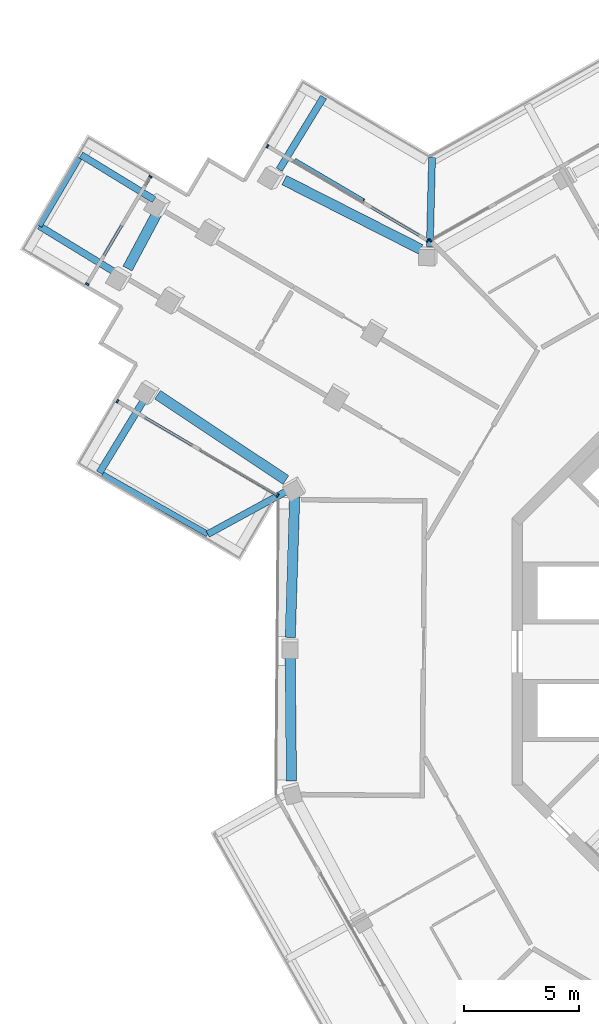
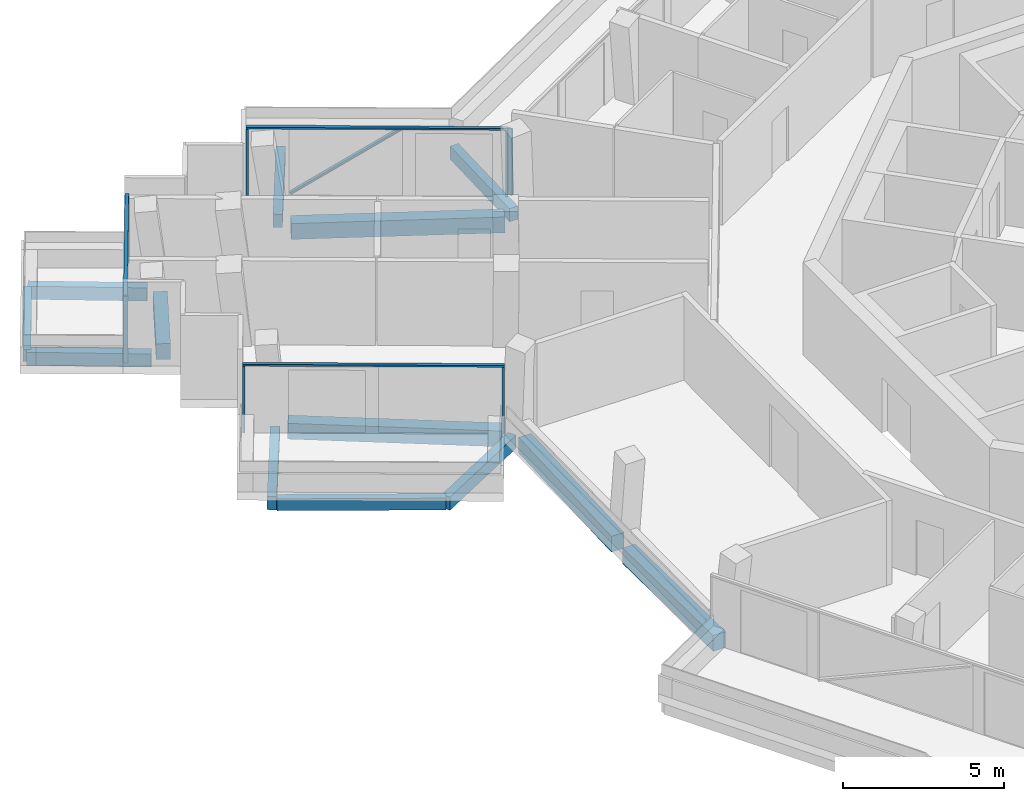
# One storey, part 6 of 24: 13 beams, 11 members, 4 elements without a shape of their own.
"""IFC4 building model written with IfcOpenShell, lengths in metres."""

from ifc_helpers import new_model, si_unit, direction, frame, origin, origin_2d, place, context, subcontext, project, spatial, rectangle, extrude, material, layer, layer_set, material_profile, profile_set, type_object, element, aggregate, save


model = new_model("IFC4")

# Units and contexts
model_context = context("Model", 3, precision=1e-05, world=origin(), true_north=direction((0.0, 1.0)))
body_context = subcontext(model_context, "Body", "Model", "MODEL_VIEW")
ifc_project = project(units=[si_unit("LENGTHUNIT", "METRE"), si_unit("AREAUNIT", "SQUARE_METRE"), si_unit("VOLUMEUNIT", "CUBIC_METRE"), si_unit("PLANEANGLEUNIT", "RADIAN"), si_unit("MASSUNIT", "GRAM", prefix="KILO")], contexts=[model_context])

# Site, building, storey
site_placement = place(None, origin())
site = spatial("IfcSite", under=ifc_project, at=site_placement, CompositionType="ELEMENT")
building_placement = place(site_placement, origin())
building = spatial("IfcBuilding", under=site, at=building_placement, Name="Verdalira Terraces Hotel", CompositionType="ELEMENT")
storey_placement = place(building_placement, frame((0.0, 0.0, 277.5)))
storey = spatial("IfcBuildingStorey", under=building, at=storey_placement, Name="L68", CompositionType="ELEMENT", Elevation=277.5)

# Beams
ifc_material_1 = material(Name="Concrete C40", Category="concrete")
ifc_material_profile_1 = material_profile(ifc_material_1, rectangle(XDim=0.300049, YDim=0.5, at=origin_2d()), Name="RC 300X500")
ifc_profile_set_1 = profile_set([ifc_material_profile_1], Name="Concrete C40")
beam_type_1 = type_object("IfcBeamType", Name="Balcony cantilever beam RC 300X500 C40", PredefinedType="BEAM", material=ifc_profile_set_1)
beam_1_placement = place(storey_placement, frame((-29.553711, 19.631104, -0.560059), z_axis=(-0.853189341, 0.52160133, 0.0), x_axis=(-0.52160133, -0.853189341, 0.0)))
element("IfcBeam", 1, at=beam_1_placement, inside=storey, type_object=beam_type_1, Name="Balcony cantilever beam R05-1", PredefinedType="BEAM", context=body_context, shape_type="SweptSolid", body=[
    extrude(rectangle(XDim=0.300049, YDim=0.5, at=origin_2d()), origin(), (0.0, 0.0, 1.0), 3.719727),
])
beam_2_placement = place(storey_placement, frame((-31.236572, 16.467041, -0.560059), z_axis=(-0.853164986, 0.521641167, 0.0), x_axis=(-0.521641167, -0.853164986, 0.0)))
element("IfcBeam", 2, at=beam_2_placement, inside=storey, type_object=beam_type_1, Name="Balcony cantilever beam R05-2", PredefinedType="BEAM", context=body_context, shape_type="SweptSolid", body=[
    extrude(rectangle(XDim=0.300049, YDim=0.5, at=origin_2d()), origin(), (0.0, 0.0, 1.0), 3.874268),
])
beam_3_placement = place(storey_placement, frame((-29.933594, 11.034424, -0.560059), z_axis=(-0.521571297, -0.853207701, 0.0), x_axis=(0.853207701, -0.521571297, 0.0)))
element("IfcBeam", 3, at=beam_3_placement, inside=storey, type_object=beam_type_1, Name="Balcony cantilever beam R10-1", PredefinedType="BEAM", context=body_context, shape_type="SweptSolid", body=[
    extrude(rectangle(XDim=0.300049, YDim=0.5, at=origin_2d()), origin(), (0.0, 0.0, 1.0), 3.82666),
])
beam_4_placement = place(storey_placement, frame((-23.756104, 6.991455, -0.560059), z_axis=(-0.878308619, -0.478094101, 0.0), x_axis=(0.478094101, -0.878308619, 0.0)))
element("IfcBeam", 4, at=beam_4_placement, inside=storey, type_object=beam_type_1, Name="Balcony cantilever beam R10-2", PredefinedType="BEAM", context=body_context, shape_type="SweptSolid", body=[
    extrude(rectangle(XDim=0.300049, YDim=0.5, at=origin_2d()), origin(), (0.0, 0.0, 1.0), 3.949951),
])
beam_5_placement = place(storey_placement, frame((-24.121094, 20.934082, -0.560059), z_axis=(0.521639774, 0.853165837, 0.0), x_axis=(-0.853165837, 0.521639774, 0.0)))
element("IfcBeam", 5, at=beam_5_placement, inside=storey, type_object=beam_type_1, Name="Balcony cantilever beam R41-1", PredefinedType="BEAM", context=body_context, shape_type="SweptSolid", body=[
    extrude(rectangle(XDim=0.300049, YDim=0.5, at=origin_2d()), origin(), (0.0, 0.0, 1.0), 3.69458),
])
beam_6_placement = place(storey_placement, frame((-17.580078, 17.5896, -0.560059), z_axis=(0.025110414, 0.999684684, 0.0), x_axis=(-0.999684684, 0.025110414, 0.0)))
element("IfcBeam", 6, at=beam_6_placement, inside=storey, type_object=beam_type_1, Name="Balcony cantilever beam R41-4", PredefinedType="BEAM", context=body_context, shape_type="SweptSolid", body=[
    extrude(rectangle(XDim=0.300049, YDim=0.5, at=origin_2d()), origin(), (0.0, 0.0, 1.0), 3.869629),
])
ifc_material_2 = material(Name="Concrete C40", Category="concrete")
ifc_material_profile_2 = material_profile(ifc_material_2, rectangle(XDim=0.25, YDim=0.449951, at=origin_2d()), Name="RC 250X450")
ifc_profile_set_2 = profile_set([ifc_material_profile_2], Name="Concrete C40")
beam_type_2 = type_object("IfcBeamType", Name="Balcony edge beam RC 250X450 C40", PredefinedType="BEAM", material=ifc_profile_set_2)
beam_7_placement = place(storey_placement, frame((-32.803467, 21.441895, -0.534912), z_axis=(-0.507228675, -0.861811506, 0.0), x_axis=(0.861811506, -0.507228675, 0.0)))
element("IfcBeam", 7, at=beam_7_placement, inside=storey, type_object=beam_type_2, Name="Balcony edge beam R05-1", PredefinedType="BEAM", context=body_context, shape_type="SweptSolid", body=[
    extrude(rectangle(XDim=0.25, YDim=0.449951, at=origin_2d()), origin(), (0.0, 0.0, 1.0), 3.42749),
])
beam_8_placement = place(storey_placement, frame((-31.798828, 7.695557, -0.534912), z_axis=(0.869949803, -0.493140285, 0.0), x_axis=(0.493140285, 0.869949803, 0.0)))
element("IfcBeam", 8, at=beam_8_placement, inside=storey, type_object=beam_type_2, Name="Balcony edge beam R10-1", PredefinedType="BEAM", context=body_context, shape_type="SweptSolid", body=[
    extrude(rectangle(XDim=0.25, YDim=0.449951, at=origin_2d()), origin(), (0.0, 0.0, 1.0), 5.25708),
])

# Curtain wall, member
ifc_material_3 = material(Name="Clear glass", Category="glass")
ifc_layer_1 = layer(ifc_material_3, 0.14990234375)
ifc_layer_set_1 = layer_set([ifc_layer_1], Name="CW1 curtain wall")
curtain_wall_type_1 = type_object("IfcCurtainWallType", Name="CW1 curtain wall", PredefinedType="NOTDEFINED", material=ifc_layer_set_1)
curtain_wall_1_placement = place(storey_placement, origin())
curtain_wall_1 = element("IfcCurtainWall", 9, at=curtain_wall_1_placement, inside=storey, type_object=curtain_wall_type_1, Name="CW1 curtain wall L68 edge 41", PredefinedType="NOTDEFINED")
ifc_material_4 = material(Name="Terracotta frame", Category="masonry")
ifc_material_profile_3 = material_profile(ifc_material_4, rectangle(XDim=0.060059, YDim=0.149902, at=origin_2d()), Name="MU 60x150")
ifc_profile_set_3 = profile_set([ifc_material_profile_3], Name="Terracotta frame")
member_type_1 = type_object("IfcMemberType", Name="CW1 mullion 60x150", PredefinedType="MULLION", material=ifc_profile_set_3)
member_1_placement = place(storey_placement, frame((-17.545898, 17.855957, 0.0), z_axis=(0.0, 0.0, 1.0), x_axis=(-0.870183755, -0.492727342, 0.0)))
member_1 = element("IfcMember", 10, at=member_1_placement, type_object=member_type_1, Name="CW1 mullion", PredefinedType="MULLION", context=body_context, shape_type="SweptSolid", body=[
    extrude(rectangle(XDim=0.060059, YDim=0.149902, at=origin_2d()), origin(), (0.0, 0.0, 1.0), 2.524902),
])
aggregate(curtain_wall_1, [member_1])

# Curtain wall, members
ifc_material_5 = material(Name="Clear glass", Category="glass")
ifc_layer_2 = layer(ifc_material_5, 0.14990234375)
ifc_layer_set_2 = layer_set([ifc_layer_2], Name="CW2 curtain wall")
curtain_wall_type_2 = type_object("IfcCurtainWallType", Name="CW2 curtain wall", PredefinedType="NOTDEFINED", material=ifc_layer_set_2)
curtain_wall_2_placement = place(storey_placement, origin())
curtain_wall_2 = element("IfcCurtainWall", 11, at=curtain_wall_2_placement, inside=storey, type_object=curtain_wall_type_2, Name="CW2 curtain wall L68 edge 0", PredefinedType="NOTDEFINED")
ifc_material_6 = material(Name="Terracotta frame", Category="masonry")
ifc_material_profile_4 = material_profile(ifc_material_6, rectangle(XDim=0.070068, YDim=0.149902, at=origin_2d()), Name="MU 70x150")
ifc_profile_set_4 = profile_set([ifc_material_profile_4], Name="Terracotta frame")
member_type_2 = type_object("IfcMemberType", Name="CW2 mullion 70x150", PredefinedType="MULLION", material=ifc_profile_set_4)
member_2_placement = place(storey_placement, frame((-17.677246, 17.859619, 0.0), z_axis=(0.0, 0.0, 1.0), x_axis=(-0.861806272, 0.507237567, 0.0)))
member_2 = element("IfcMember", 12, at=member_2_placement, type_object=member_type_2, Name="CW2 mullion", PredefinedType="MULLION", context=body_context, shape_type="SweptSolid", body=[
    extrude(rectangle(XDim=0.070068, YDim=0.149902, at=origin_2d()), origin(), (0.0, 0.0, 1.0), 2.524902),
])
member_3_placement = place(storey_placement, frame((-24.630127, 21.951904, 0.0), z_axis=(0.0, 0.0, 1.0), x_axis=(-0.861806272, 0.507237567, 0.0)))
member_3 = element("IfcMember", 13, at=member_3_placement, type_object=member_type_2, Name="CW2 mullion", PredefinedType="MULLION", context=body_context, shape_type="SweptSolid", body=[
    extrude(rectangle(XDim=0.070068, YDim=0.149902, at=origin_2d()), origin(), (0.0, 0.0, 1.0), 2.524902),
])

curtain_wall_3_placement = place(storey_placement, origin())
curtain_wall_3 = element("IfcCurtainWall", 14, at=curtain_wall_3_placement, inside=storey, type_object=curtain_wall_type_2, Name="CW2 curtain wall L68 edge 10", PredefinedType="NOTDEFINED")
member_4_placement = place(storey_placement, frame((-31.148193, 10.877686, 0.0), z_axis=(0.0, 0.0, 1.0), x_axis=(0.861806272, -0.507237567, 0.0)))
member_4 = element("IfcMember", 15, at=member_4_placement, type_object=member_type_2, Name="CW2 mullion", PredefinedType="MULLION", context=body_context, shape_type="SweptSolid", body=[
    extrude(rectangle(XDim=0.070068, YDim=0.149902, at=origin_2d()), origin(), (0.0, 0.0, 1.0), 2.524902),
])
member_5_placement = place(storey_placement, frame((-24.195068, 6.7854, 0.0), z_axis=(0.0, 0.0, 1.0), x_axis=(0.861806272, -0.507237567, 0.0)))
member_5 = element("IfcMember", 16, at=member_5_placement, type_object=member_type_2, Name="CW2 mullion", PredefinedType="MULLION", context=body_context, shape_type="SweptSolid", body=[
    extrude(rectangle(XDim=0.070068, YDim=0.149902, at=origin_2d()), origin(), (0.0, 0.0, 1.0), 2.524902),
])

# Member
ifc_material_7 = material(Name="Terracotta frame", Category="masonry")
ifc_material_profile_5 = material_profile(ifc_material_7, rectangle(XDim=0.11499, YDim=0.064941, at=origin_2d()), Name="TR 65x115")
ifc_profile_set_5 = profile_set([ifc_material_profile_5], Name="Terracotta frame")
member_type_3 = type_object("IfcMemberType", Name="CW2 transom 65x115", PredefinedType="USERDEFINED", material=ifc_profile_set_5)
member_6_placement = place(storey_placement, frame((-17.646973, 17.841797, 2.557617), z_axis=(-0.861806168, 0.507237744, 0.0), x_axis=(-0.507237744, -0.861806168, 0.0)))
member_6 = element("IfcMember", 17, at=member_6_placement, type_object=member_type_3, Name="CW2 transom", ObjectType="TRANSOM", PredefinedType="USERDEFINED", context=body_context, shape_type="SweptSolid", body=[
    extrude(rectangle(XDim=0.11499, YDim=0.064941, at=origin_2d()), origin(), (0.0, 0.0, 1.0), 8.137939),
])

member_7_placement = place(storey_placement, frame((-31.178467, 10.895508, 2.557617), z_axis=(0.861806168, -0.507237744, 0.0), x_axis=(0.507237744, 0.861806168, 0.0)))
member_7 = element("IfcMember", 18, at=member_7_placement, type_object=member_type_3, Name="CW2 transom", ObjectType="TRANSOM", PredefinedType="USERDEFINED", context=body_context, shape_type="SweptSolid", body=[
    extrude(rectangle(XDim=0.11499, YDim=0.064941, at=origin_2d()), origin(), (0.0, 0.0, 1.0), 8.137939),
])

aggregate(curtain_wall_3, [member_4, member_5, member_7])

# Curtain wall, members
ifc_material_8 = material(Name="Clear glass", Category="glass")
ifc_layer_3 = layer(ifc_material_8, 0.14990234375)
ifc_layer_set_3 = layer_set([ifc_layer_3], Name="CW3 curtain wall")
curtain_wall_type_3 = type_object("IfcCurtainWallType", Name="CW3 curtain wall", PredefinedType="NOTDEFINED", material=ifc_layer_set_3)
curtain_wall_4_placement = place(storey_placement, origin())
curtain_wall_4 = element("IfcCurtainWall", 19, at=curtain_wall_4_placement, inside=storey, type_object=curtain_wall_type_3, Name="CW3 curtain wall L68 edge 5", PredefinedType="NOTDEFINED")
ifc_material_9 = material(Name="Terracotta frame", Category="masonry")
ifc_material_profile_6 = material_profile(ifc_material_9, rectangle(XDim=0.080078, YDim=0.149902, at=origin_2d()), Name="MU 80x150")
ifc_profile_set_6 = profile_set([ifc_material_profile_6], Name="Terracotta frame")
member_type_4 = type_object("IfcMemberType", Name="CW3 mullion 80x150", PredefinedType="MULLION", material=ifc_profile_set_6)
member_8_placement = place(storey_placement, frame((-29.711914, 20.632324, 0.0), z_axis=(0.0, 0.0, 1.0), x_axis=(-0.507237567, -0.861806272, 0.0)))
member_8 = element("IfcMember", 20, at=member_8_placement, type_object=member_type_4, Name="CW3 mullion", PredefinedType="MULLION", context=body_context, shape_type="SweptSolid", body=[
    extrude(rectangle(XDim=0.080078, YDim=0.149902, at=origin_2d()), origin(), (0.0, 0.0, 1.0), 2.524902),
])
member_9_placement = place(storey_placement, frame((-32.461182, 15.961182, 0.0), z_axis=(0.0, 0.0, 1.0), x_axis=(-0.507237567, -0.861806272, 0.0)))
member_9 = element("IfcMember", 21, at=member_9_placement, type_object=member_type_4, Name="CW3 mullion", PredefinedType="MULLION", context=body_context, shape_type="SweptSolid", body=[
    extrude(rectangle(XDim=0.080078, YDim=0.149902, at=origin_2d()), origin(), (0.0, 0.0, 1.0), 2.524902),
])
ifc_material_10 = material(Name="Terracotta frame", Category="masonry")
ifc_material_profile_7 = material_profile(ifc_material_10, rectangle(XDim=0.120117, YDim=0.064941, at=origin_2d()), Name="TR 65x120")
ifc_profile_set_7 = profile_set([ifc_material_profile_7], Name="Terracotta frame")
member_type_5 = type_object("IfcMemberType", Name="CW3 transom 65x120", PredefinedType="USERDEFINED", material=ifc_profile_set_7)
member_10_placement = place(storey_placement, frame((-29.69165, 20.666748, 2.557617), z_axis=(-0.507231557, -0.861809809, 0.0), x_axis=(0.861809809, -0.507231557, 0.0)))
member_10 = element("IfcMember", 22, at=member_10_placement, type_object=member_type_5, Name="CW3 transom", ObjectType="TRANSOM", PredefinedType="USERDEFINED", context=body_context, shape_type="SweptSolid", body=[
    extrude(rectangle(XDim=0.120117, YDim=0.064941, at=origin_2d()), origin(), (0.0, 0.0, 1.0), 5.5),
])
aggregate(curtain_wall_4, [member_8, member_9, member_10])

# Member
ifc_material_11 = material(Name="Terracotta frame", Category="masonry")
ifc_material_profile_8 = material_profile(ifc_material_11, rectangle(XDim=0.149902, YDim=0.060059, at=origin_2d()), Name="GB 60x150")
ifc_profile_set_8 = profile_set([ifc_material_profile_8], Name="Terracotta frame")
member_type_6 = type_object("IfcMemberType", Name="Diagonal glazing bar 60x150", PredefinedType="USERDEFINED", material=ifc_profile_set_8)
member_11_placement = place(storey_placement, frame((-20.449707, 19.597168, 2.499512), z_axis=(-0.700832494, 0.412446988, -0.581997678), x_axis=(-0.507196056, -0.861830703, 0.0)))
member_11 = element("IfcMember", 23, at=member_11_placement, type_object=member_type_6, Name="Diagonal glazing bar", ObjectType="GLAZING BAR", PredefinedType="USERDEFINED", context=body_context, shape_type="SweptSolid", body=[
    extrude(rectangle(XDim=0.149902, YDim=0.060059, at=origin_2d()), origin(), (0.0, 0.0, 1.0), 4.250732),
])

aggregate(curtain_wall_2, [member_2, member_3, member_6, member_11])

# Beams
ifc_material_12 = material(Name="Concrete C40", Category="concrete")
ifc_material_profile_9 = material_profile(ifc_material_12, rectangle(XDim=0.449951, YDim=0.600098, at=origin_2d()), Name="RC 450X600")
ifc_profile_set_9 = profile_set([ifc_material_profile_9], Name="Concrete C40")
beam_type_3 = type_object("IfcBeamType", Name="Spandrel beam RC 450X600 C40", PredefinedType="SPANDREL", material=ifc_profile_set_9)
beam_9_placement = place(storey_placement, frame((-17.97998, 17.475586, -0.610107), z_axis=(-0.891885865, 0.452260549, 0.0), x_axis=(-0.452260549, -0.891885865, 0.0)))
element("IfcBeam", 24, at=beam_9_placement, inside=storey, type_object=beam_type_3, Name="Spandrel beam B01", PredefinedType="SPANDREL", context=body_context, shape_type="SweptSolid", body=[
    extrude(rectangle(XDim=0.449951, YDim=0.600098, at=origin_2d()), origin(), (0.0, 0.0, 1.0), 6.646729),
])
beam_10_placement = place(storey_placement, frame((-29.371338, 19.145996, -0.610107), z_axis=(-0.470784275, -0.882248358, 0.0), x_axis=(0.882248358, -0.470784275, 0.0)))
element("IfcBeam", 25, at=beam_10_placement, inside=storey, type_object=beam_type_3, Name="Spandrel beam B02", PredefinedType="SPANDREL", context=body_context, shape_type="SweptSolid", body=[
    extrude(rectangle(XDim=0.449951, YDim=0.600098, at=origin_2d()), origin(), (0.0, 0.0, 1.0), 2.843994),
])
beam_11_placement = place(storey_placement, frame((-29.402344, 11.156494, -0.610107), z_axis=(0.832830018, -0.553528826, 0.0), x_axis=(0.553528826, 0.832830018, 0.0)))
element("IfcBeam", 26, at=beam_11_placement, inside=storey, type_object=beam_type_3, Name="Spandrel beam B03", PredefinedType="SPANDREL", context=body_context, shape_type="SweptSolid", body=[
    extrude(rectangle(XDim=0.449951, YDim=0.600098, at=origin_2d()), origin(), (0.0, 0.0, 1.0), 6.688721),
])
beam_12_placement = place(storey_placement, frame((-23.453125, 6.713623, -0.610107), z_axis=(-0.031512265, -0.999503365, 0.0), x_axis=(0.999503365, -0.031512265, 0.0)))
element("IfcBeam", 27, at=beam_12_placement, inside=storey, type_object=beam_type_3, Name="Spandrel beam B04", PredefinedType="SPANDREL", context=body_context, shape_type="SweptSolid", body=[
    extrude(rectangle(XDim=0.449951, YDim=0.600098, at=origin_2d()), origin(), (0.0, 0.0, 1.0), 6.097168),
])
beam_13_placement = place(storey_placement, frame((-23.652344, -0.095215, -0.610107), z_axis=(0.010921786, -0.999940356, 0.0), x_axis=(0.999940356, 0.010921786, 0.0)))
element("IfcBeam", 28, at=beam_13_placement, inside=storey, type_object=beam_type_3, Name="Spandrel beam B05", PredefinedType="SPANDREL", context=body_context, shape_type="SweptSolid", body=[
    extrude(rectangle(XDim=0.449951, YDim=0.600098, at=origin_2d()), origin(), (0.0, 0.0, 1.0), 5.52124),
])

save(model, "model.ifc")
